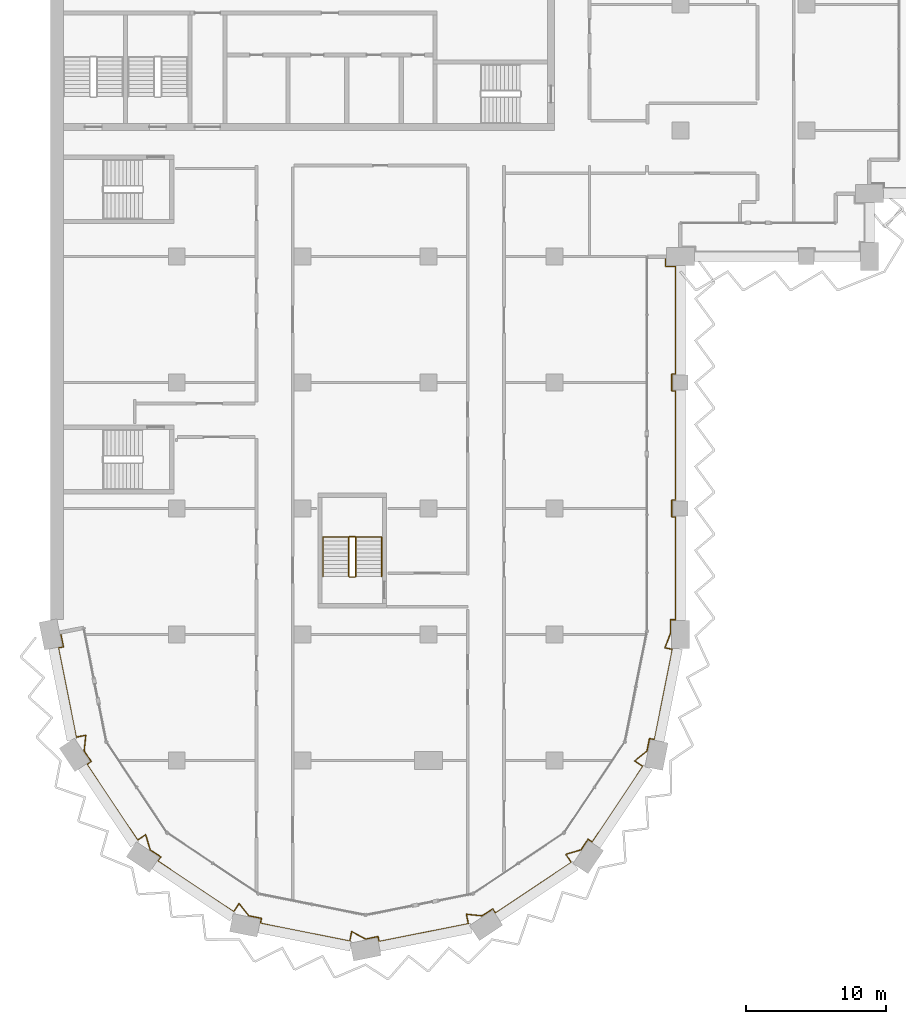
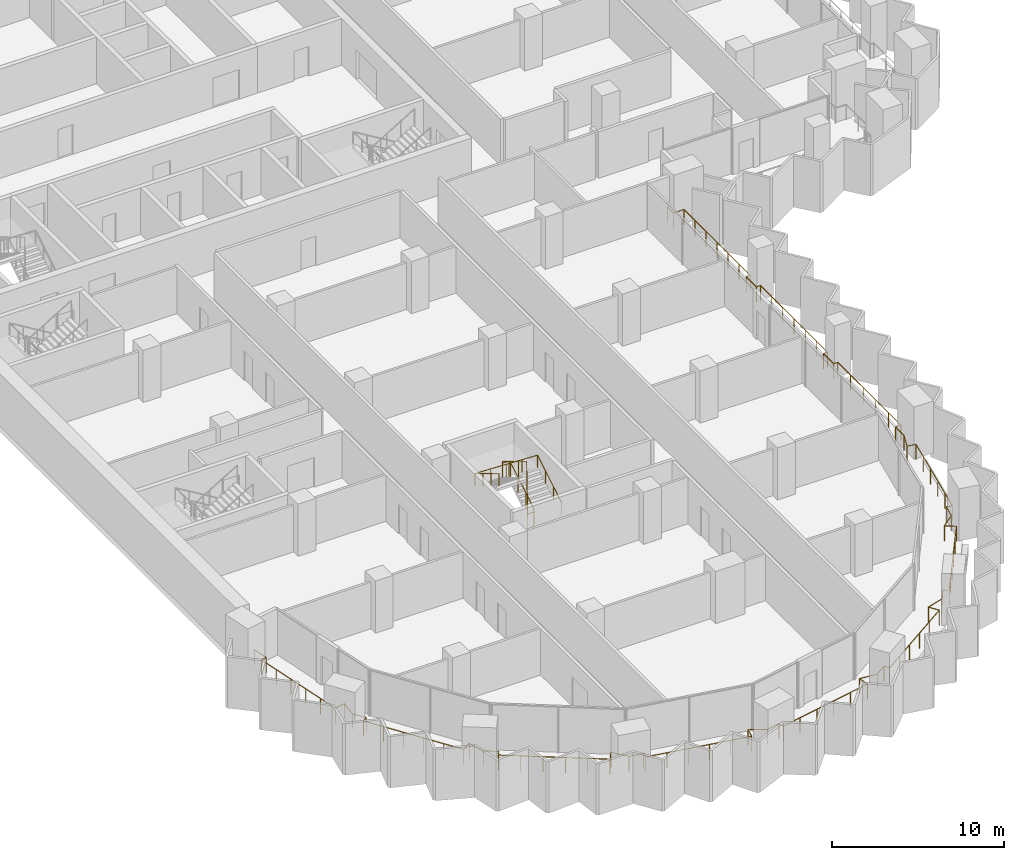
# One storey, part 19 of 22: 3 railings.
"""IFC4 building model written with IfcOpenShell, lengths in metres."""

from ifc_helpers import new_model, si_unit, direction, frame, origin, origin_2d, place, context, subcontext, project, spatial, circle, extrude, material, type_object, element, save


model = new_model("IFC4")

# Units and contexts
model_context = context("Model", 3, precision=1e-05, world=origin(), true_north=direction((0.0, 1.0)))
body_context = subcontext(model_context, "Body", "Model", "MODEL_VIEW")
ifc_project = project(units=[si_unit("LENGTHUNIT", "METRE"), si_unit("AREAUNIT", "SQUARE_METRE"), si_unit("VOLUMEUNIT", "CUBIC_METRE"), si_unit("PLANEANGLEUNIT", "RADIAN"), si_unit("MASSUNIT", "GRAM", prefix="KILO")], contexts=[model_context])

# Site, building, storey
site_placement = place(None, origin())
site = spatial("IfcSite", under=ifc_project, at=site_placement, CompositionType="ELEMENT")
building_placement = place(site_placement, origin())
building = spatial("IfcBuilding", under=site, at=building_placement, Name="Hunhe Ridgeline Campus", CompositionType="ELEMENT")
storey_placement = place(building_placement, frame((0.0, 0.0, 156.0)))
storey = spatial("IfcBuildingStorey", under=building, at=storey_placement, Name="L39", CompositionType="ELEMENT", Elevation=156.0)

# Railings
ifc_material_1 = material(Name="Steel Q355", Category="steel")
railing_type_1 = type_object("IfcRailingType", Name="Loggia guard 1100 Steel Q355", PredefinedType="GUARDRAIL", material=ifc_material_1)
railing_1_placement = place(storey_placement, frame((0.7060546875, 27.140380859375, 0.0)))
element("IfcRailing", 1, at=railing_1_placement, inside=storey, type_object=railing_type_1, Name="Loggia guard 1", PredefinedType="GUARDRAIL", context=body_context, shape_type="SweptSolid", body=[
    extrude(circle(Radius=0.02392578125, at=origin_2d()), frame((0.0, 0.0, 1.076171875), z_axis=(0.195087556151, -0.980785830564, 0.0), x_axis=(0.980785830564, 0.195087556151, 0.0)), (0.0, 0.0, 1.0), 1.050048828125),
    extrude(circle(Radius=0.02392578125, at=origin_2d()), frame((0.204833984375, -1.02978515625, 1.076171875), z_axis=(-0.980858940504, -0.194719641621, 0.0), x_axis=(0.194719641621, -0.980858940504, 0.0)), (0.0, 0.0, 1.0), 0.369873046875),
    extrude(circle(Radius=0.02392578125, at=origin_2d()), frame((-0.157958984375, -1.101806640625, 1.076171875), z_axis=(0.19507695386, -0.9807879394, 0.0), x_axis=(0.9807879394, 0.19507695386, 0.0)), (0.0, 0.0, 1.0), 6.506591796875),
    extrude(circle(Radius=0.02392578125, at=origin_2d()), frame((1.111328125, -7.4833984375, 1.076171875), z_axis=(0.980780459814, 0.195114555191, 0.0), x_axis=(-0.195114555191, 0.980780459814, 0.0)), (0.0, 0.0, 1.0), 0.703125),
    extrude(circle(Radius=0.02392578125, at=origin_2d()), frame((1.801025390625, -7.34619140625, 1.076171875), z_axis=(-0.102884402445, -0.994693319437, 0.0), x_axis=(0.994693319437, -0.102884402445, 0.0)), (0.0, 0.0, 1.0), 1.129638671875),
    extrude(circle(Radius=0.02392578125, at=origin_2d()), frame((1.684814453125, -8.4697265625, 1.076171875), z_axis=(0.555569523548, -0.831470086356, 0.0), x_axis=(0.831470086356, 0.555569523548, 0.0)), (0.0, 0.0, 1.0), 0.906982421875),
    extrude(circle(Radius=0.02392578125, at=origin_2d()), frame((2.188720703125, -9.223876953125, 1.076171875), z_axis=(-0.831440678638, -0.555613532868, 0.0), x_axis=(0.555613532868, -0.831440678638, 0.0)), (0.0, 0.0, 1.0), 0.369873046875),
    extrude(circle(Radius=0.02392578125, at=origin_2d()), frame((1.881103515625, -9.429443359375, 1.076171875), z_axis=(0.55556581165, -0.83147256655, 0.0), x_axis=(0.83147256655, 0.55556581165, 0.0)), (0.0, 0.0, 1.0), 6.50634765625),
    extrude(circle(Radius=0.02392578125, at=origin_2d()), frame((5.495849609375, -14.83935546875, 1.076171875), z_axis=(0.831355400166, 0.555741125539, 0.0), x_axis=(-0.555741125539, 0.831355400166, 0.0)), (0.0, 0.0, 1.0), 0.703369140625),
    extrude(circle(Radius=0.02392578125, at=origin_2d()), frame((6.08056640625, -14.448486328125, 1.076171875), z_axis=(0.285463917281, -0.958389457335, 0.0), x_axis=(0.958389457335, 0.285463917281, 0.0)), (0.0, 0.0, 1.0), 1.1298828125),
    extrude(circle(Radius=0.02392578125, at=origin_2d()), frame((6.403076171875, -15.53125, 1.076171875), z_axis=(0.831511358569, -0.555507750235, 0.0), x_axis=(0.555507750235, 0.831511358569, 0.0)), (0.0, 0.0, 1.0), 0.90673828125),
    extrude(circle(Radius=0.02392578125, at=origin_2d()), frame((7.156982421875, -16.034912109375, 1.076171875), z_axis=(-0.555613532868, -0.831440678638, 0.0), x_axis=(0.831440678638, -0.555613532868, 0.0)), (0.0, 0.0, 1.0), 0.369873046875),
    extrude(circle(Radius=0.02392578125, at=origin_2d()), frame((6.951416015625, -16.342529296875, 1.076171875), z_axis=(0.831455233209, -0.555591752251, 0.0), x_axis=(0.555591752251, 0.831455233209, 0.0)), (0.0, 0.0, 1.0), 6.506591796875),
    extrude(circle(Radius=0.02392578125, at=origin_2d()), frame((12.361328125, -19.95751953125, 1.076171875), z_axis=(0.555741125539, 0.831355400166, 0.0), x_axis=(-0.831355400166, 0.555741125539, 0.0)), (0.0, 0.0, 1.0), 0.703369140625),
    extrude(circle(Radius=0.02392578125, at=origin_2d()), frame((12.752197265625, -19.372802734375, 1.076171875), z_axis=(0.630633305327, -0.776080945657, 0.0), x_axis=(0.776080945657, 0.630633305327, 0.0)), (0.0, 0.0, 1.0), 1.129638671875),
    extrude(circle(Radius=0.02392578125, at=origin_2d()), frame((13.464599609375, -20.24951171875, 1.076171875), z_axis=(0.980807887006, -0.194976636516, 0.0), x_axis=(0.194976636516, 0.980807887006, 0.0)), (0.0, 0.0, 1.0), 0.906494140625),
    extrude(circle(Radius=0.02392578125, at=origin_2d()), frame((14.353759765625, -20.42626953125, 1.076171875), z_axis=(-0.194593653816, -0.980883943132, 0.0), x_axis=(0.980883943132, -0.194593653816, 0.0)), (0.0, 0.0, 1.0), 0.3701171875),
    extrude(circle(Radius=0.02392578125, at=origin_2d()), frame((14.28173828125, -20.789306640625, 1.076171875), z_axis=(0.98078651142, -0.195084133173, 0.0), x_axis=(0.195084133173, 0.98078651142, 0.0)), (0.0, 0.0, 1.0), 6.50634765625),
    extrude(circle(Radius=0.02392578125, at=origin_2d()), frame((20.6630859375, -22.05859375, 1.076171875), z_axis=(0.195114555191, 0.980780459814, 0.0), x_axis=(-0.980780459814, 0.195114555191, 0.0)), (0.0, 0.0, 1.0), 0.703125),
    extrude(circle(Radius=0.02392578125, at=origin_2d()), frame((20.80029296875, -21.368896484375, 1.076171875), z_axis=(0.879616090555, -0.475684278946, 0.0), x_axis=(0.475684278946, 0.879616090555, 0.0)), (0.0, 0.0, 1.0), 1.129638671875),
    extrude(circle(Radius=0.02392578125, at=origin_2d()), frame((21.7939453125, -21.90625, 1.076171875), z_axis=(0.98081812081, 0.194925149456, 0.0), x_axis=(-0.194925149456, 0.98081812081, 0.0)), (0.0, 0.0, 1.0), 0.90673828125),
    extrude(circle(Radius=0.02392578125, at=origin_2d()), frame((22.683349609375, -21.7294921875, 1.076171875), z_axis=(0.194719641621, -0.980858940504, 0.0), x_axis=(0.980858940504, 0.194719641621, 0.0)), (0.0, 0.0, 1.0), 0.369873046875),
    extrude(circle(Radius=0.02392578125, at=origin_2d()), frame((22.75537109375, -22.09228515625, 1.076171875), z_axis=(0.9807879394, 0.19507695386, 0.0), x_axis=(-0.19507695386, 0.9807879394, 0.0)), (0.0, 0.0, 1.0), 6.506591796875),
    extrude(circle(Radius=0.02392578125, at=origin_2d()), frame((29.136962890625, -20.822998046875, 1.076171875), z_axis=(-0.195114555191, 0.980780459814, 0.0), x_axis=(-0.980780459814, -0.195114555191, 0.0)), (0.0, 0.0, 1.0), 0.703125),
    extrude(circle(Radius=0.02392578125, at=origin_2d()), frame((28.999755859375, -20.13330078125, 1.076171875), z_axis=(0.994693319437, -0.102884402445, 0.0), x_axis=(0.102884402445, 0.994693319437, 0.0)), (0.0, 0.0, 1.0), 1.129638671875),
    extrude(circle(Radius=0.02392578125, at=origin_2d()), frame((30.123291015625, -20.24951171875, 1.076171875), z_axis=(0.831470086356, 0.555569523548, 0.0), x_axis=(-0.555569523548, 0.831470086356, 0.0)), (0.0, 0.0, 1.0), 0.906982421875),
    extrude(circle(Radius=0.02392578125, at=origin_2d()), frame((30.87744140625, -19.74560546875, 1.076171875), z_axis=(0.555613532868, -0.831440678638, 0.0), x_axis=(0.831440678638, 0.555613532868, 0.0)), (0.0, 0.0, 1.0), 0.369873046875),
    extrude(circle(Radius=0.02392578125, at=origin_2d()), frame((31.0830078125, -20.05322265625, 1.076171875), z_axis=(0.83147256655, 0.55556581165, 0.0), x_axis=(-0.55556581165, 0.83147256655, 0.0)), (0.0, 0.0, 1.0), 6.50634765625),
    extrude(circle(Radius=0.02392578125, at=origin_2d()), frame((36.492919921875, -16.4384765625, 1.076171875), z_axis=(-0.555741125539, 0.831355400166, 0.0), x_axis=(-0.831355400166, -0.555741125539, 0.0)), (0.0, 0.0, 1.0), 0.703369140625),
    extrude(circle(Radius=0.02392578125, at=origin_2d()), frame((36.10205078125, -15.853759765625, 1.076171875), z_axis=(0.958389457335, 0.285463917281, 0.0), x_axis=(-0.285463917281, 0.958389457335, 0.0)), (0.0, 0.0, 1.0), 1.1298828125),
    extrude(circle(Radius=0.02392578125, at=origin_2d()), frame((37.184814453125, -15.53125, 1.076171875), z_axis=(0.555507750235, 0.831511358569, 0.0), x_axis=(-0.831511358569, 0.555507750235, 0.0)), (0.0, 0.0, 1.0), 0.90673828125),
    extrude(circle(Radius=0.02392578125, at=origin_2d()), frame((37.6884765625, -14.77734375, 1.076171875), z_axis=(0.831440678638, -0.555613532868, 0.0), x_axis=(0.555613532868, 0.831440678638, 0.0)), (0.0, 0.0, 1.0), 0.369873046875),
    extrude(circle(Radius=0.02392578125, at=origin_2d()), frame((37.99609375, -14.98291015625, 1.076171875), z_axis=(0.555591752251, 0.831455233209, 0.0), x_axis=(-0.831455233209, 0.555591752251, 0.0)), (0.0, 0.0, 1.0), 6.506591796875),
    extrude(circle(Radius=0.02392578125, at=origin_2d()), frame((41.611083984375, -9.572998046875, 1.076171875), z_axis=(-0.831355400166, 0.555741125539, 0.0), x_axis=(-0.555741125539, -0.831355400166, 0.0)), (0.0, 0.0, 1.0), 0.703369140625),
    extrude(circle(Radius=0.02392578125, at=origin_2d()), frame((41.0263671875, -9.18212890625, 1.076171875), z_axis=(0.776080945657, 0.630633305327, 0.0), x_axis=(-0.630633305327, 0.776080945657, 0.0)), (0.0, 0.0, 1.0), 1.129638671875),
    extrude(circle(Radius=0.02392578125, at=origin_2d()), frame((41.903076171875, -8.4697265625, 1.076171875), z_axis=(0.194976636516, 0.980807887006, 0.0), x_axis=(-0.980807887006, 0.194976636516, 0.0)), (0.0, 0.0, 1.0), 0.906494140625),
    extrude(circle(Radius=0.02392578125, at=origin_2d()), frame((42.079833984375, -7.58056640625, 1.076171875), z_axis=(0.980883943132, -0.194593653816, 0.0), x_axis=(0.194593653816, 0.980883943132, 0.0)), (0.0, 0.0, 1.0), 0.3701171875),
    extrude(circle(Radius=0.02392578125, at=origin_2d()), frame((42.44287109375, -7.652587890625, 1.076171875), z_axis=(0.195087191819, 0.980785903033, 0.0), x_axis=(-0.980785903033, 0.195087191819, 0.0)), (0.0, 0.0, 1.0), 6.5712890625),
    extrude(circle(Radius=0.02392578125, at=origin_2d()), frame((43.724853515625, -1.20751953125, 1.076171875), z_axis=(-0.9807502228, 0.195266485801, 0.0), x_axis=(-0.195266485801, -0.9807502228, 0.0)), (0.0, 0.0, 1.0), 0.552734375),
    extrude(circle(Radius=0.02392578125, at=origin_2d()), frame((43.182861328125, -1.099609375, 1.076171875), z_axis=(0.354981524628, 0.934873316109, 0.0), x_axis=(-0.934873316109, 0.354981524628, 0.0)), (0.0, 0.0, 1.0), 1.101806640625),
    extrude(circle(Radius=0.02392578125, at=origin_2d()), frame((43.573974609375, -0.069580078125, 1.076171875), z_axis=(0.0, 1.0, 0.0), x_axis=(-1.0, 0.0, 0.0)), (0.0, 0.0, 1.0), 0.979248046875),
    extrude(circle(Radius=0.02392578125, at=origin_2d()), frame((43.573974609375, 0.90966796875, 1.076171875), z_axis=(1.0, 0.0, 0.0), x_axis=(0.0, 1.0, 0.0)), (0.0, 0.0, 1.0), 0.369873046875),
    extrude(circle(Radius=0.02392578125, at=origin_2d()), frame((43.94384765625, 0.90966796875, 1.076171875), z_axis=(0.0, 1.0, 0.0), x_axis=(-1.0, 0.0, 0.0)), (0.0, 0.0, 1.0), 7.349853515625),
    extrude(circle(Radius=0.02392578125, at=origin_2d()), frame((43.94384765625, 8.259521484375, 1.076171875), z_axis=(-1.0, 0.0, 0.0), x_axis=(0.0, -1.0, 0.0)), (0.0, 0.0, 1.0), 0.27001953125),
    extrude(circle(Radius=0.02392578125, at=origin_2d()), frame((43.673828125, 8.259521484375, 1.076171875), z_axis=(0.0, 1.0, 0.0), x_axis=(-1.0, 0.0, 0.0)), (0.0, 0.0, 1.0), 1.2001953125),
    extrude(circle(Radius=0.02392578125, at=origin_2d()), frame((43.673828125, 9.459716796875, 1.076171875), z_axis=(1.0, 0.0, 0.0), x_axis=(0.0, 1.0, 0.0)), (0.0, 0.0, 1.0), 0.27001953125),
    extrude(circle(Radius=0.02392578125, at=origin_2d()), frame((43.94384765625, 9.459716796875, 1.076171875), z_axis=(0.0, 1.0, 0.0), x_axis=(-1.0, 0.0, 0.0)), (0.0, 0.0, 1.0), 7.7998046875),
    extrude(circle(Radius=0.02392578125, at=origin_2d()), frame((43.94384765625, 17.259521484375, 1.076171875), z_axis=(-1.0, 0.0, 0.0), x_axis=(0.0, -1.0, 0.0)), (0.0, 0.0, 1.0), 0.27001953125),
    extrude(circle(Radius=0.02392578125, at=origin_2d()), frame((43.673828125, 17.259521484375, 1.076171875), z_axis=(0.0, 1.0, 0.0), x_axis=(-1.0, 0.0, 0.0)), (0.0, 0.0, 1.0), 1.2001953125),
    extrude(circle(Radius=0.02392578125, at=origin_2d()), frame((43.673828125, 18.459716796875, 1.076171875), z_axis=(1.0, 0.0, 0.0), x_axis=(0.0, 1.0, 0.0)), (0.0, 0.0, 1.0), 0.27001953125),
    extrude(circle(Radius=0.02392578125, at=origin_2d()), frame((43.94384765625, 18.459716796875, 1.076171875), z_axis=(0.0, 1.0, 0.0), x_axis=(-1.0, 0.0, 0.0)), (0.0, 0.0, 1.0), 7.699951171875),
    extrude(circle(Radius=0.02392578125, at=origin_2d()), frame((43.94384765625, 26.15966796875, 1.076171875), z_axis=(-1.0, 0.0, 0.0), x_axis=(0.0, -1.0, 0.0)), (0.0, 0.0, 1.0), 0.719970703125),
    extrude(circle(Radius=0.02392578125, at=origin_2d()), frame((43.223876953125, 26.15966796875, 1.076171875), z_axis=(0.0, 1.0, 0.0), x_axis=(-1.0, 0.0, 0.0)), (0.0, 0.0, 1.0), 0.699951171875),
    extrude(circle(Radius=0.02099609375, at=origin_2d()), origin(), (0.0, 0.0, 1.0), 1.052001953125),
    extrude(circle(Radius=0.02099609375, at=origin_2d()), frame((0.204833984375, -1.02978515625, 0.0)), (0.0, 0.0, 1.0), 1.052001953125),
    extrude(circle(Radius=0.02099609375, at=origin_2d()), frame((-0.157958984375, -1.101806640625, 0.0)), (0.0, 0.0, 1.0), 1.052001953125),
    extrude(circle(Radius=0.02099609375, at=origin_2d()), frame((0.095947265625, -2.378173828125, 0.0)), (0.0, 0.0, 1.0), 1.052001953125),
    extrude(circle(Radius=0.02099609375, at=origin_2d()), frame((0.349853515625, -3.654541015625, 0.0)), (0.0, 0.0, 1.0), 1.052001953125),
    extrude(circle(Radius=0.02099609375, at=origin_2d()), frame((0.603515625, -4.9306640625, 0.0)), (0.0, 0.0, 1.0), 1.052001953125),
    extrude(circle(Radius=0.02099609375, at=origin_2d()), frame((0.857421875, -6.20703125, 0.0)), (0.0, 0.0, 1.0), 1.052001953125),
    extrude(circle(Radius=0.02099609375, at=origin_2d()), frame((1.111328125, -7.4833984375, 0.0)), (0.0, 0.0, 1.0), 1.052001953125),
    extrude(circle(Radius=0.02099609375, at=origin_2d()), frame((1.801025390625, -7.34619140625, 0.0)), (0.0, 0.0, 1.0), 1.052001953125),
    extrude(circle(Radius=0.02099609375, at=origin_2d()), frame((1.684814453125, -8.4697265625, 0.0)), (0.0, 0.0, 1.0), 1.052001953125),
    extrude(circle(Radius=0.02099609375, at=origin_2d()), frame((2.188720703125, -9.223876953125, 0.0)), (0.0, 0.0, 1.0), 1.052001953125),
    extrude(circle(Radius=0.02099609375, at=origin_2d()), frame((1.881103515625, -9.429443359375, 0.0)), (0.0, 0.0, 1.0), 1.052001953125),
    extrude(circle(Radius=0.02099609375, at=origin_2d()), frame((2.60400390625, -10.511474609375, 0.0)), (0.0, 0.0, 1.0), 1.052001953125),
    extrude(circle(Radius=0.02099609375, at=origin_2d()), frame((3.326904296875, -11.593505859375, 0.0)), (0.0, 0.0, 1.0), 1.052001953125),
    extrude(circle(Radius=0.02099609375, at=origin_2d()), frame((4.050048828125, -12.67529296875, 0.0)), (0.0, 0.0, 1.0), 1.052001953125),
    extrude(circle(Radius=0.02099609375, at=origin_2d()), frame((4.77294921875, -13.75732421875, 0.0)), (0.0, 0.0, 1.0), 1.052001953125),
    extrude(circle(Radius=0.02099609375, at=origin_2d()), frame((5.495849609375, -14.83935546875, 0.0)), (0.0, 0.0, 1.0), 1.052001953125),
    extrude(circle(Radius=0.02099609375, at=origin_2d()), frame((6.08056640625, -14.448486328125, 0.0)), (0.0, 0.0, 1.0), 1.052001953125),
    extrude(circle(Radius=0.02099609375, at=origin_2d()), frame((6.403076171875, -15.53125, 0.0)), (0.0, 0.0, 1.0), 1.052001953125),
    extrude(circle(Radius=0.02099609375, at=origin_2d()), frame((7.156982421875, -16.034912109375, 0.0)), (0.0, 0.0, 1.0), 1.052001953125),
    extrude(circle(Radius=0.02099609375, at=origin_2d()), frame((6.951416015625, -16.342529296875, 0.0)), (0.0, 0.0, 1.0), 1.052001953125),
    extrude(circle(Radius=0.02099609375, at=origin_2d()), frame((8.033447265625, -17.0654296875, 0.0)), (0.0, 0.0, 1.0), 1.052001953125),
    extrude(circle(Radius=0.02099609375, at=origin_2d()), frame((9.115478515625, -17.78857421875, 0.0)), (0.0, 0.0, 1.0), 1.052001953125),
    extrude(circle(Radius=0.02099609375, at=origin_2d()), frame((10.197265625, -18.511474609375, 0.0)), (0.0, 0.0, 1.0), 1.052001953125),
    extrude(circle(Radius=0.02099609375, at=origin_2d()), frame((11.279296875, -19.234619140625, 0.0)), (0.0, 0.0, 1.0), 1.052001953125),
    extrude(circle(Radius=0.02099609375, at=origin_2d()), frame((12.361328125, -19.95751953125, 0.0)), (0.0, 0.0, 1.0), 1.052001953125),
    extrude(circle(Radius=0.02099609375, at=origin_2d()), frame((12.752197265625, -19.372802734375, 0.0)), (0.0, 0.0, 1.0), 1.052001953125),
    extrude(circle(Radius=0.02099609375, at=origin_2d()), frame((13.464599609375, -20.24951171875, 0.0)), (0.0, 0.0, 1.0), 1.052001953125),
    extrude(circle(Radius=0.02099609375, at=origin_2d()), frame((14.353759765625, -20.42626953125, 0.0)), (0.0, 0.0, 1.0), 1.052001953125),
    extrude(circle(Radius=0.02099609375, at=origin_2d()), frame((14.28173828125, -20.789306640625, 0.0)), (0.0, 0.0, 1.0), 1.052001953125),
    extrude(circle(Radius=0.02099609375, at=origin_2d()), frame((15.55810546875, -21.043212890625, 0.0)), (0.0, 0.0, 1.0), 1.052001953125),
    extrude(circle(Radius=0.02099609375, at=origin_2d()), frame((16.834228515625, -21.297119140625, 0.0)), (0.0, 0.0, 1.0), 1.052001953125),
    extrude(circle(Radius=0.02099609375, at=origin_2d()), frame((18.110595703125, -21.55078125, 0.0)), (0.0, 0.0, 1.0), 1.052001953125),
    extrude(circle(Radius=0.02099609375, at=origin_2d()), frame((19.38671875, -21.8046875, 0.0)), (0.0, 0.0, 1.0), 1.052001953125),
    extrude(circle(Radius=0.02099609375, at=origin_2d()), frame((20.6630859375, -22.05859375, 0.0)), (0.0, 0.0, 1.0), 1.052001953125),
    extrude(circle(Radius=0.02099609375, at=origin_2d()), frame((20.80029296875, -21.368896484375, 0.0)), (0.0, 0.0, 1.0), 1.052001953125),
    extrude(circle(Radius=0.02099609375, at=origin_2d()), frame((21.7939453125, -21.90625, 0.0)), (0.0, 0.0, 1.0), 1.052001953125),
    extrude(circle(Radius=0.02099609375, at=origin_2d()), frame((22.683349609375, -21.7294921875, 0.0)), (0.0, 0.0, 1.0), 1.052001953125),
    extrude(circle(Radius=0.02099609375, at=origin_2d()), frame((22.75537109375, -22.09228515625, 0.0)), (0.0, 0.0, 1.0), 1.052001953125),
    extrude(circle(Radius=0.02099609375, at=origin_2d()), frame((24.03173828125, -21.83837890625, 0.0)), (0.0, 0.0, 1.0), 1.052001953125),
    extrude(circle(Radius=0.02099609375, at=origin_2d()), frame((25.30810546875, -21.58447265625, 0.0)), (0.0, 0.0, 1.0), 1.052001953125),
    extrude(circle(Radius=0.02099609375, at=origin_2d()), frame((26.584228515625, -21.330810546875, 0.0)), (0.0, 0.0, 1.0), 1.052001953125),
    extrude(circle(Radius=0.02099609375, at=origin_2d()), frame((27.860595703125, -21.076904296875, 0.0)), (0.0, 0.0, 1.0), 1.052001953125),
    extrude(circle(Radius=0.02099609375, at=origin_2d()), frame((29.136962890625, -20.822998046875, 0.0)), (0.0, 0.0, 1.0), 1.052001953125),
    extrude(circle(Radius=0.02099609375, at=origin_2d()), frame((28.999755859375, -20.13330078125, 0.0)), (0.0, 0.0, 1.0), 1.052001953125),
    extrude(circle(Radius=0.02099609375, at=origin_2d()), frame((30.123291015625, -20.24951171875, 0.0)), (0.0, 0.0, 1.0), 1.052001953125),
    extrude(circle(Radius=0.02099609375, at=origin_2d()), frame((30.87744140625, -19.74560546875, 0.0)), (0.0, 0.0, 1.0), 1.052001953125),
    extrude(circle(Radius=0.02099609375, at=origin_2d()), frame((31.0830078125, -20.05322265625, 0.0)), (0.0, 0.0, 1.0), 1.052001953125),
    extrude(circle(Radius=0.02099609375, at=origin_2d()), frame((32.1650390625, -19.330322265625, 0.0)), (0.0, 0.0, 1.0), 1.052001953125),
    extrude(circle(Radius=0.02099609375, at=origin_2d()), frame((33.2470703125, -18.607421875, 0.0)), (0.0, 0.0, 1.0), 1.052001953125),
    extrude(circle(Radius=0.02099609375, at=origin_2d()), frame((34.328857421875, -17.88427734375, 0.0)), (0.0, 0.0, 1.0), 1.052001953125),
    extrude(circle(Radius=0.02099609375, at=origin_2d()), frame((35.410888671875, -17.161376953125, 0.0)), (0.0, 0.0, 1.0), 1.052001953125),
    extrude(circle(Radius=0.02099609375, at=origin_2d()), frame((36.492919921875, -16.4384765625, 0.0)), (0.0, 0.0, 1.0), 1.052001953125),
    extrude(circle(Radius=0.02099609375, at=origin_2d()), frame((36.10205078125, -15.853759765625, 0.0)), (0.0, 0.0, 1.0), 1.052001953125),
    extrude(circle(Radius=0.02099609375, at=origin_2d()), frame((37.184814453125, -15.53125, 0.0)), (0.0, 0.0, 1.0), 1.052001953125),
    extrude(circle(Radius=0.02099609375, at=origin_2d()), frame((37.6884765625, -14.77734375, 0.0)), (0.0, 0.0, 1.0), 1.052001953125),
    extrude(circle(Radius=0.02099609375, at=origin_2d()), frame((37.99609375, -14.98291015625, 0.0)), (0.0, 0.0, 1.0), 1.052001953125),
    extrude(circle(Radius=0.02099609375, at=origin_2d()), frame((38.718994140625, -13.90087890625, 0.0)), (0.0, 0.0, 1.0), 1.052001953125),
    extrude(circle(Radius=0.02099609375, at=origin_2d()), frame((39.442138671875, -12.81884765625, 0.0)), (0.0, 0.0, 1.0), 1.052001953125),
    extrude(circle(Radius=0.02099609375, at=origin_2d()), frame((40.1650390625, -11.737060546875, 0.0)), (0.0, 0.0, 1.0), 1.052001953125),
    extrude(circle(Radius=0.02099609375, at=origin_2d()), frame((40.88818359375, -10.655029296875, 0.0)), (0.0, 0.0, 1.0), 1.052001953125),
    extrude(circle(Radius=0.02099609375, at=origin_2d()), frame((41.611083984375, -9.572998046875, 0.0)), (0.0, 0.0, 1.0), 1.052001953125),
    extrude(circle(Radius=0.02099609375, at=origin_2d()), frame((41.0263671875, -9.18212890625, 0.0)), (0.0, 0.0, 1.0), 1.052001953125),
    extrude(circle(Radius=0.02099609375, at=origin_2d()), frame((41.903076171875, -8.4697265625, 0.0)), (0.0, 0.0, 1.0), 1.052001953125),
    extrude(circle(Radius=0.02099609375, at=origin_2d()), frame((42.079833984375, -7.58056640625, 0.0)), (0.0, 0.0, 1.0), 1.052001953125),
    extrude(circle(Radius=0.02099609375, at=origin_2d()), frame((42.44287109375, -7.652587890625, 0.0)), (0.0, 0.0, 1.0), 1.052001953125),
    extrude(circle(Radius=0.02099609375, at=origin_2d()), frame((42.69921875, -6.363525390625, 0.0)), (0.0, 0.0, 1.0), 1.052001953125),
    extrude(circle(Radius=0.02099609375, at=origin_2d()), frame((42.95556640625, -5.074462890625, 0.0)), (0.0, 0.0, 1.0), 1.052001953125),
    extrude(circle(Radius=0.02099609375, at=origin_2d()), frame((43.212158203125, -3.78564453125, 0.0)), (0.0, 0.0, 1.0), 1.052001953125),
    extrude(circle(Radius=0.02099609375, at=origin_2d()), frame((43.468505859375, -2.49658203125, 0.0)), (0.0, 0.0, 1.0), 1.052001953125),
    extrude(circle(Radius=0.02099609375, at=origin_2d()), frame((43.724853515625, -1.20751953125, 0.0)), (0.0, 0.0, 1.0), 1.052001953125),
    extrude(circle(Radius=0.02099609375, at=origin_2d()), frame((43.182861328125, -1.099609375, 0.0)), (0.0, 0.0, 1.0), 1.052001953125),
    extrude(circle(Radius=0.02099609375, at=origin_2d()), frame((43.573974609375, -0.069580078125, 0.0)), (0.0, 0.0, 1.0), 1.052001953125),
    extrude(circle(Radius=0.02099609375, at=origin_2d()), frame((43.573974609375, 0.90966796875, 0.0)), (0.0, 0.0, 1.0), 1.052001953125),
    extrude(circle(Radius=0.02099609375, at=origin_2d()), frame((43.94384765625, 0.90966796875, 0.0)), (0.0, 0.0, 1.0), 1.052001953125),
    extrude(circle(Radius=0.02099609375, at=origin_2d()), frame((43.94384765625, 2.379638671875, 0.0)), (0.0, 0.0, 1.0), 1.052001953125),
    extrude(circle(Radius=0.02099609375, at=origin_2d()), frame((43.94384765625, 3.849609375, 0.0)), (0.0, 0.0, 1.0), 1.052001953125),
    extrude(circle(Radius=0.02099609375, at=origin_2d()), frame((43.94384765625, 5.319580078125, 0.0)), (0.0, 0.0, 1.0), 1.052001953125),
    extrude(circle(Radius=0.02099609375, at=origin_2d()), frame((43.94384765625, 6.78955078125, 0.0)), (0.0, 0.0, 1.0), 1.052001953125),
    extrude(circle(Radius=0.02099609375, at=origin_2d()), frame((43.94384765625, 8.259521484375, 0.0)), (0.0, 0.0, 1.0), 1.052001953125),
    extrude(circle(Radius=0.02099609375, at=origin_2d()), frame((43.673828125, 8.259521484375, 0.0)), (0.0, 0.0, 1.0), 1.052001953125),
    extrude(circle(Radius=0.02099609375, at=origin_2d()), frame((43.673828125, 9.459716796875, 0.0)), (0.0, 0.0, 1.0), 1.052001953125),
    extrude(circle(Radius=0.02099609375, at=origin_2d()), frame((43.94384765625, 9.459716796875, 0.0)), (0.0, 0.0, 1.0), 1.052001953125),
    extrude(circle(Radius=0.02099609375, at=origin_2d()), frame((43.94384765625, 10.759765625, 0.0)), (0.0, 0.0, 1.0), 1.052001953125),
    extrude(circle(Radius=0.02099609375, at=origin_2d()), frame((43.94384765625, 12.0595703125, 0.0)), (0.0, 0.0, 1.0), 1.052001953125),
    extrude(circle(Radius=0.02099609375, at=origin_2d()), frame((43.94384765625, 13.359619140625, 0.0)), (0.0, 0.0, 1.0), 1.052001953125),
    extrude(circle(Radius=0.02099609375, at=origin_2d()), frame((43.94384765625, 14.65966796875, 0.0)), (0.0, 0.0, 1.0), 1.052001953125),
    extrude(circle(Radius=0.02099609375, at=origin_2d()), frame((43.94384765625, 15.95947265625, 0.0)), (0.0, 0.0, 1.0), 1.052001953125),
    extrude(circle(Radius=0.02099609375, at=origin_2d()), frame((43.94384765625, 17.259521484375, 0.0)), (0.0, 0.0, 1.0), 1.052001953125),
    extrude(circle(Radius=0.02099609375, at=origin_2d()), frame((43.673828125, 17.259521484375, 0.0)), (0.0, 0.0, 1.0), 1.052001953125),
    extrude(circle(Radius=0.02099609375, at=origin_2d()), frame((43.673828125, 18.459716796875, 0.0)), (0.0, 0.0, 1.0), 1.052001953125),
    extrude(circle(Radius=0.02099609375, at=origin_2d()), frame((43.94384765625, 18.459716796875, 0.0)), (0.0, 0.0, 1.0), 1.052001953125),
    extrude(circle(Radius=0.02099609375, at=origin_2d()), frame((43.94384765625, 19.7431640625, 0.0)), (0.0, 0.0, 1.0), 1.052001953125),
    extrude(circle(Radius=0.02099609375, at=origin_2d()), frame((43.94384765625, 21.0263671875, 0.0)), (0.0, 0.0, 1.0), 1.052001953125),
    extrude(circle(Radius=0.02099609375, at=origin_2d()), frame((43.94384765625, 22.3095703125, 0.0)), (0.0, 0.0, 1.0), 1.052001953125),
    extrude(circle(Radius=0.02099609375, at=origin_2d()), frame((43.94384765625, 23.593017578125, 0.0)), (0.0, 0.0, 1.0), 1.052001953125),
    extrude(circle(Radius=0.02099609375, at=origin_2d()), frame((43.94384765625, 24.87646484375, 0.0)), (0.0, 0.0, 1.0), 1.052001953125),
    extrude(circle(Radius=0.02099609375, at=origin_2d()), frame((43.94384765625, 26.15966796875, 0.0)), (0.0, 0.0, 1.0), 1.052001953125),
    extrude(circle(Radius=0.02099609375, at=origin_2d()), frame((43.223876953125, 26.15966796875, 0.0)), (0.0, 0.0, 1.0), 1.052001953125),
    extrude(circle(Radius=0.02099609375, at=origin_2d()), frame((43.223876953125, 26.859619140625, 0.0)), (0.0, 0.0, 1.0), 1.052001953125),
])
ifc_material_2 = material(Name="Stainless steel balustrade", Category="steel")
railing_type_2 = type_object("IfcRailingType", Name="Stair guard 1100 stainless", PredefinedType="GUARDRAIL", material=ifc_material_2)
railing_2_placement = place(storey_placement, frame((21.800048828125, 31.14990234375, 0.168212890625)))
element("IfcRailing", 2, at=railing_2_placement, inside=storey, type_object=railing_type_2, Name="L39 stair W3 guard", PredefinedType="GUARDRAIL", context=body_context, shape_type="SweptSolid", body=[
    extrude(circle(Radius=0.02392578125, at=origin_2d()), frame((0.0, 0.0, 1.076171875), z_axis=(0.0, 0.857242210791, 0.514913383045), x_axis=(-1.0, 0.0, 0.0)), (0.0, 0.0, 1.0), 3.266357421875),
    extrude(circle(Radius=0.02392578125, at=origin_2d()), frame((0.0, 2.800048828125, 2.7578125), z_axis=(-0.707106781187, 0.707106781187, 0.0), x_axis=(-0.707106781187, -0.707106781187, 0.0)), (0.0, 0.0, 1.0), 0.07080078125),
    extrude(circle(Radius=0.02392578125, at=origin_2d()), frame((-0.050048828125, 2.85009765625, 2.7578125), z_axis=(-1.0, 0.0, 0.0), x_axis=(0.0, -1.0, 0.0)), (0.0, 0.0, 1.0), 0.39990234375),
    extrude(circle(Radius=0.02392578125, at=origin_2d()), frame((-0.449951171875, 2.85009765625, 2.7578125), z_axis=(-0.274582412415, -0.274582412415, 0.921525364591), x_axis=(0.707106781187, -0.707106781187, 0.0)), (0.0, 0.0, 1.0), 0.182373046875),
    extrude(circle(Radius=0.02392578125, at=origin_2d()), frame((-0.5, 2.800048828125, 2.92578125), z_axis=(0.0, -0.857242210791, 0.514913383045), x_axis=(1.0, 0.0, 0.0)), (0.0, 0.0, 1.0), 3.266357421875),
    extrude(circle(Radius=0.02392578125, at=origin_2d()), frame((-0.5, 0.0, 4.60791015625), z_axis=(0.013524426427, -0.013458453615, -0.999817963389), x_axis=(0.705375805398, 0.708833529934, 0.0)), (0.0, 0.0, 1.0), 3.70068359375),
    extrude(circle(Radius=0.02392578125, at=origin_2d()), frame((-0.449951171875, -0.0498046875, 0.90771484375), z_axis=(1.0, 0.0, 0.0), x_axis=(0.0, 1.0, 0.0)), (0.0, 0.0, 1.0), 0.39990234375),
    extrude(circle(Radius=0.02099609375, at=origin_2d()), origin(), (0.0, 0.0, 1.0), 1.052001953125),
    extrude(circle(Radius=0.02099609375, at=origin_2d()), frame((0.0, 0.933349609375, 0.560546875)), (0.0, 0.0, 1.0), 1.052001953125),
    extrude(circle(Radius=0.02099609375, at=origin_2d()), frame((0.0, 1.86669921875, 1.121337890625)), (0.0, 0.0, 1.0), 1.052001953125),
    extrude(circle(Radius=0.02099609375, at=origin_2d()), frame((0.0, 2.800048828125, 1.681884765625)), (0.0, 0.0, 1.0), 1.052001953125),
    extrude(circle(Radius=0.02099609375, at=origin_2d()), frame((-0.050048828125, 2.85009765625, 1.681884765625)), (0.0, 0.0, 1.0), 1.052001953125),
    extrude(circle(Radius=0.02099609375, at=origin_2d()), frame((-0.449951171875, 2.85009765625, 1.681884765625)), (0.0, 0.0, 1.0), 1.052001953125),
    extrude(circle(Radius=0.02099609375, at=origin_2d()), frame((-0.5, 2.800048828125, 1.849853515625)), (0.0, 0.0, 1.0), 1.052001953125),
    extrude(circle(Radius=0.02099609375, at=origin_2d()), frame((-0.5, 1.86669921875, 2.410400390625)), (0.0, 0.0, 1.0), 1.052001953125),
    extrude(circle(Radius=0.02099609375, at=origin_2d()), frame((-0.5, 0.933349609375, 2.97119140625)), (0.0, 0.0, 1.0), 1.052001953125),
    extrude(circle(Radius=0.02099609375, at=origin_2d()), frame((-0.5, 0.0, 3.53173828125)), (0.0, 0.0, 1.0), 1.052001953125),
    extrude(circle(Radius=0.02099609375, at=origin_2d()), frame((-0.487548828125, -0.012451171875, 2.606689453125)), (0.0, 0.0, 1.0), 1.052001953125),
    extrude(circle(Radius=0.02099609375, at=origin_2d()), frame((-0.47509765625, -0.02490234375, 1.681640625)), (0.0, 0.0, 1.0), 1.052001953125),
    extrude(circle(Radius=0.02099609375, at=origin_2d()), frame((-0.46240234375, -0.037353515625, 0.7568359375)), (0.0, 0.0, 1.0), 1.052001953125),
    extrude(circle(Radius=0.02099609375, at=origin_2d()), frame((-0.449951171875, -0.0498046875, -0.168212890625)), (0.0, 0.0, 1.0), 1.052001953125),
    extrude(circle(Radius=0.02099609375, at=origin_2d()), frame((-0.050048828125, -0.0498046875, -0.168212890625)), (0.0, 0.0, 1.0), 1.052001953125),
])
ifc_material_3 = material(Name="Stainless steel handrail", Category="steel")
railing_type_3 = type_object("IfcRailingType", Name="Stair handrail 900 stainless", PredefinedType="HANDRAIL", material=ifc_material_3)
railing_3_placement = place(storey_placement, frame((23.64990234375, 31.14990234375, 0.168212890625)))
element("IfcRailing", 3, at=railing_3_placement, inside=storey, type_object=railing_type_3, Name="L39 stair W3 handrail", PredefinedType="HANDRAIL", context=body_context, shape_type="SweptSolid", body=[
    extrude(circle(Radius=0.02392578125, at=origin_2d()), frame((0.0, 0.0, 0.8759765625), z_axis=(0.0, 0.857242210791, 0.514913383045), x_axis=(-1.0, 0.0, 0.0)), (0.0, 0.0, 1.0), 3.266357421875),
    extrude(circle(Radius=0.02392578125, at=origin_2d()), frame((0.0, 2.800048828125, 2.5576171875), z_axis=(-0.99920123705, 0.0, 0.039961079526), x_axis=(0.0, -1.0, 0.0)), (0.0, 0.0, 1.0), 4.203369140625),
    extrude(circle(Radius=0.02392578125, at=origin_2d()), frame((-4.199951171875, 2.800048828125, 2.7255859375), z_axis=(0.0, -0.857242210791, 0.514913383045), x_axis=(1.0, 0.0, 0.0)), (0.0, 0.0, 1.0), 3.266357421875),
    extrude(circle(Radius=0.02099609375, at=origin_2d()), origin(), (0.0, 0.0, 1.0), 0.851806640625),
    extrude(circle(Radius=0.02099609375, at=origin_2d()), frame((0.0, 0.933349609375, 0.560546875)), (0.0, 0.0, 1.0), 0.851806640625),
    extrude(circle(Radius=0.02099609375, at=origin_2d()), frame((0.0, 1.86669921875, 1.121337890625)), (0.0, 0.0, 1.0), 0.851806640625),
    extrude(circle(Radius=0.02099609375, at=origin_2d()), frame((0.0, 2.800048828125, 1.681884765625)), (0.0, 0.0, 1.0), 0.851806640625),
    extrude(circle(Radius=0.02099609375, at=origin_2d()), frame((-1.050048828125, 2.800048828125, 1.723876953125)), (0.0, 0.0, 1.0), 0.851806640625),
    extrude(circle(Radius=0.02099609375, at=origin_2d()), frame((-2.10009765625, 2.800048828125, 1.765869140625)), (0.0, 0.0, 1.0), 0.851806640625),
    extrude(circle(Radius=0.02099609375, at=origin_2d()), frame((-3.14990234375, 2.800048828125, 1.807861328125)), (0.0, 0.0, 1.0), 0.851806640625),
    extrude(circle(Radius=0.02099609375, at=origin_2d()), frame((-4.199951171875, 2.800048828125, 1.849853515625)), (0.0, 0.0, 1.0), 0.851806640625),
    extrude(circle(Radius=0.02099609375, at=origin_2d()), frame((-4.199951171875, 1.86669921875, 2.410400390625)), (0.0, 0.0, 1.0), 0.851806640625),
    extrude(circle(Radius=0.02099609375, at=origin_2d()), frame((-4.199951171875, 0.933349609375, 2.97119140625)), (0.0, 0.0, 1.0), 0.851806640625),
    extrude(circle(Radius=0.02099609375, at=origin_2d()), frame((-4.199951171875, 0.0, 3.53173828125)), (0.0, 0.0, 1.0), 0.851806640625),
])

save(model, "model.ifc")
